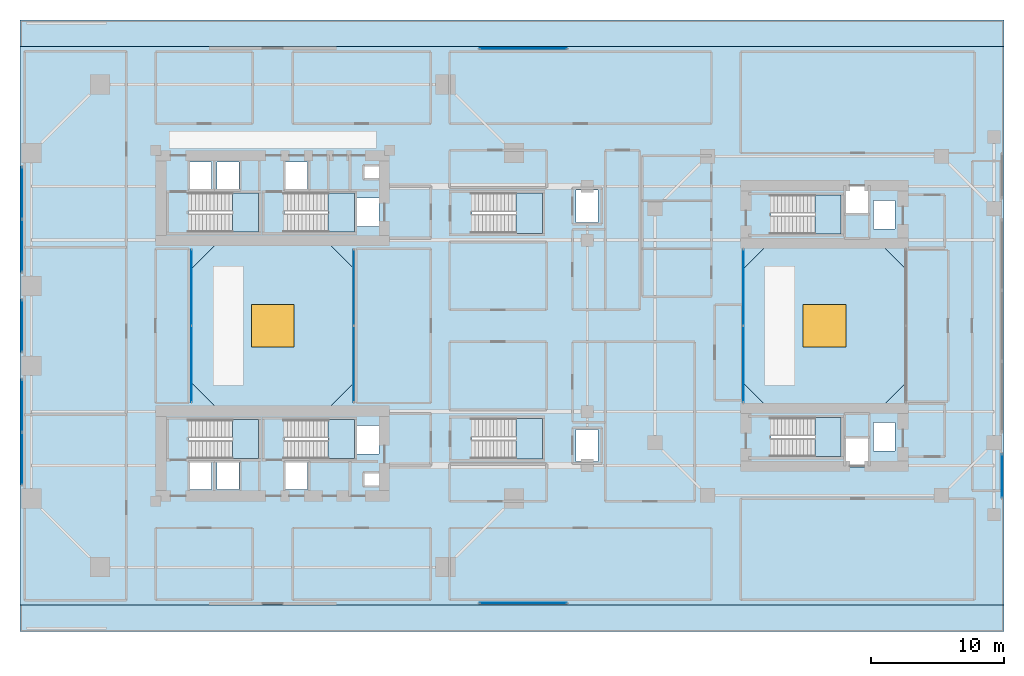
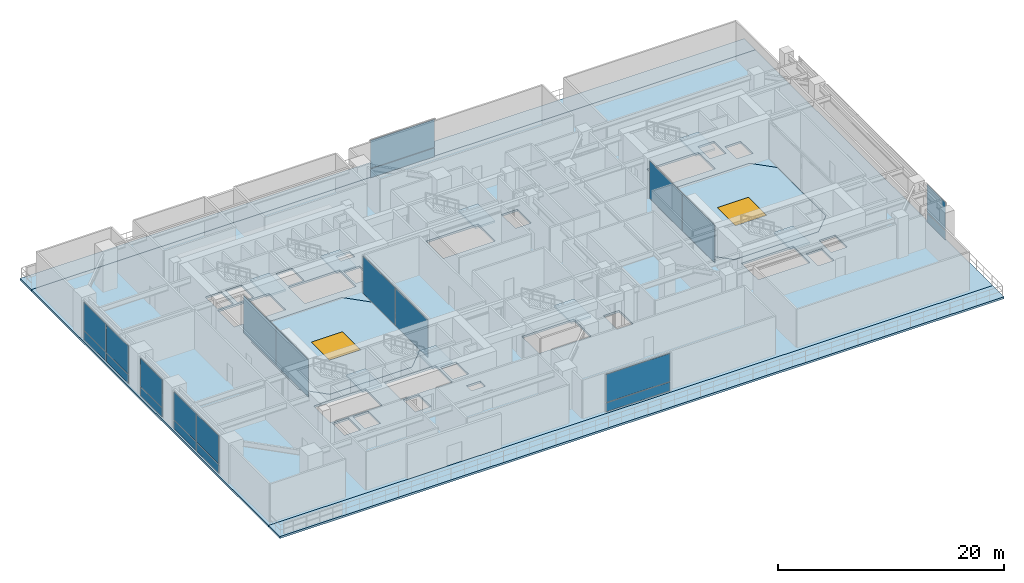
# One storey, part 9 of 19: 22 plates, 13 slabs, 2 windows, 2 openings, 17 elements without a shape of their own.
"""IFC4 building model written with IfcOpenShell, lengths in metres."""

from ifc_helpers import new_model, si_unit, direction, frame, origin, origin_2d, place, context, subcontext, project, spatial, polyline, rectangle, outline, extrude, source, transform, mapped, material, layer, layer_set, type_object, element, fill, aggregate, save


model = new_model("IFC4")

# Units and contexts
model_context = context("Model", 3, precision=1e-05, world=origin(), true_north=direction((0.0, 1.0)))
body_context = subcontext(model_context, "Body", "Model", "MODEL_VIEW")
ifc_project = project(units=[si_unit("LENGTHUNIT", "METRE"), si_unit("AREAUNIT", "SQUARE_METRE"), si_unit("VOLUMEUNIT", "CUBIC_METRE"), si_unit("PLANEANGLEUNIT", "RADIAN"), si_unit("MASSUNIT", "GRAM", prefix="KILO"), si_unit("THERMODYNAMICTEMPERATUREUNIT", "KELVIN"), si_unit("POWERUNIT", "WATT")], contexts=[model_context])

# Site, building, storey
site_placement = place(None, origin())
site = spatial("IfcSite", under=ifc_project, at=site_placement, CompositionType="ELEMENT")
building_placement = place(site_placement, origin())
building = spatial("IfcBuilding", under=site, at=building_placement, Name="Qiaomeng Ring Towers", CompositionType="ELEMENT")
storey_placement = place(building_placement, frame((0.0, 0.0, 5.0)))
storey = spatial("IfcBuildingStorey", under=building, at=storey_placement, Name="L01", CompositionType="ELEMENT", Elevation=5.0)

# Slab
ifc_material_1 = material(Name="Concrete C40", Category="concrete")
ifc_layer_1 = layer(ifc_material_1, 0.219970703125, Name="Concrete C40")
ifc_layer_set_1 = layer_set([ifc_layer_1], Name="Concrete C40")
slab_type_1 = type_object("IfcSlabType", Name="STR-SL-220", PredefinedType="FLOOR", material=ifc_layer_set_1)
slab_1_placement = place(storey_placement, frame((0.0, 0.0, -0.219970703125)))
element("IfcSlab", 1, at=slab_1_placement, inside=storey, type_object=slab_type_1, Name="L01 Structural Floor Slab", PredefinedType="FLOOR", context=body_context, shape_type="SweptSolid", body=[
    extrude(outline(polyline([(0.0, 2.0), (74.0, 2.0), (74.0, 44.0), (0.0, 44.0), (0.0, 2.0)]), holes=[polyline([(12.780029296875, 12.820068359375), (14.419921875, 12.820068359375), (14.419921875, 10.679931640625), (12.780029296875, 10.679931640625), (12.780029296875, 12.820068359375)]), polyline([(16.469970703125, 12.820068359375), (16.469970703125, 10.679931640625), (14.830078125, 10.679931640625), (14.830078125, 12.820068359375), (16.469970703125, 12.820068359375)]), polyline([(21.6201171875, 12.820068359375), (21.6201171875, 10.679931640625), (19.97998046875, 10.679931640625), (19.97998046875, 12.820068359375), (21.6201171875, 12.820068359375)]), polyline([(27.0, 15.52001953125), (27.0, 13.3798828125), (25.360107421875, 13.3798828125), (25.360107421875, 15.52001953125), (27.0, 15.52001953125)]), polyline([(17.949951171875, 15.949951171875), (17.949951171875, 13.010009765625), (12.679931640625, 13.010009765625), (12.679931640625, 15.949951171875), (17.949951171875, 15.949951171875)]), polyline([(25.14990234375, 15.949951171875), (25.14990234375, 13.010009765625), (19.8798828125, 13.010009765625), (19.8798828125, 15.949951171875), (25.14990234375, 15.949951171875)]), polyline([(25.199951171875, 18.800048828125), (23.199951171875, 16.800048828125), (14.800048828125, 16.800048828125), (12.800048828125, 18.800048828125), (12.800048828125, 27.199951171875), (14.800048828125, 29.199951171875), (23.199951171875, 29.199951171875), (25.199951171875, 27.199951171875), (25.199951171875, 18.800048828125)]), polyline([(12.679931640625, 32.989990234375), (17.949951171875, 32.989990234375), (17.949951171875, 30.050048828125), (12.679931640625, 30.050048828125), (12.679931640625, 32.989990234375)]), polyline([(25.14990234375, 32.989990234375), (25.14990234375, 30.050048828125), (19.8798828125, 30.050048828125), (19.8798828125, 32.989990234375), (25.14990234375, 32.989990234375)]), polyline([(27.0, 32.6201171875), (27.0, 30.47998046875), (25.360107421875, 30.47998046875), (25.360107421875, 32.6201171875), (27.0, 32.6201171875)]), polyline([(14.419921875, 35.320068359375), (14.419921875, 33.179931640625), (12.780029296875, 33.179931640625), (12.780029296875, 35.320068359375), (14.419921875, 35.320068359375)]), polyline([(16.469970703125, 35.320068359375), (16.469970703125, 33.179931640625), (14.830078125, 33.179931640625), (14.830078125, 35.320068359375), (16.469970703125, 35.320068359375)]), polyline([(21.6201171875, 35.320068359375), (21.6201171875, 33.179931640625), (19.97998046875, 33.179931640625), (19.97998046875, 35.320068359375), (21.6201171875, 35.320068359375)]), polyline([(27.360107421875, 35.0), (27.360107421875, 34.10009765625), (25.919921875, 34.10009765625), (25.919921875, 35.0), (27.360107421875, 35.0)]), polyline([(25.919921875, 11.89990234375), (27.360107421875, 11.89990234375), (27.360107421875, 11.0), (25.919921875, 11.0), (25.919921875, 11.89990234375)]), polyline([(63.77001953125, 14.52001953125), (63.77001953125, 12.3798828125), (62.1298828125, 12.3798828125), (62.1298828125, 14.52001953125), (63.77001953125, 14.52001953125)]), polyline([(43.469970703125, 15.219970703125), (43.469970703125, 12.780029296875), (41.830078125, 12.780029296875), (41.830078125, 15.219970703125), (43.469970703125, 15.219970703125)]), polyline([(39.300048828125, 16.0400390625), (39.300048828125, 13.0), (33.989990234375, 13.0), (33.989990234375, 16.0400390625), (39.300048828125, 16.0400390625)]), polyline([(61.75, 16.10009765625), (61.75, 13.159912109375), (56.47998046875, 13.159912109375), (56.47998046875, 16.10009765625), (61.75, 16.10009765625)]), polyline([(65.820068359375, 15.719970703125), (65.820068359375, 13.580078125), (64.179931640625, 13.580078125), (64.179931640625, 15.719970703125), (65.820068359375, 15.719970703125)]), polyline([(66.60009765625, 27.300048828125), (66.60009765625, 18.699951171875), (64.800048828125, 16.89990234375), (56.199951171875, 16.89990234375), (54.39990234375, 18.699951171875), (54.39990234375, 27.300048828125), (56.199951171875, 29.10009765625), (64.800048828125, 29.10009765625), (66.60009765625, 27.300048828125)]), polyline([(65.820068359375, 32.419921875), (65.820068359375, 30.280029296875), (64.179931640625, 30.280029296875), (64.179931640625, 32.419921875), (65.820068359375, 32.419921875)]), polyline([(61.75, 32.840087890625), (61.75, 29.89990234375), (56.47998046875, 29.89990234375), (56.47998046875, 32.840087890625), (61.75, 32.840087890625)]), polyline([(39.300048828125, 33.0), (39.300048828125, 29.9599609375), (33.989990234375, 29.9599609375), (33.989990234375, 33.0), (39.300048828125, 33.0)]), polyline([(43.469970703125, 33.219970703125), (43.469970703125, 30.780029296875), (41.830078125, 30.780029296875), (41.830078125, 33.219970703125), (43.469970703125, 33.219970703125)]), polyline([(63.77001953125, 33.6201171875), (63.77001953125, 31.47998046875), (62.1298828125, 31.47998046875), (62.1298828125, 33.6201171875), (63.77001953125, 33.6201171875)])]), origin(), (0.0, 0.0, 1.0), 0.219970703125),
])

# Stair, slab
ifc_material_2 = material(Name="Precast concrete C40", Category="concrete")
stair_type_1 = type_object("IfcStairType", Name="ARC-ST-440", PredefinedType="HALF_TURN_STAIR", material=ifc_material_2)
stair_1_placement = place(storey_placement, origin())
stair_1 = element("IfcStair", 2, at=stair_1_placement, inside=storey, type_object=stair_type_1, Name="L01 Tower 1 North Stair 1", PredefinedType="HALF_TURN_STAIR")
ifc_layer_2 = layer(ifc_material_1, 0.199951171875, Name="Concrete C40")
ifc_layer_set_2 = layer_set([ifc_layer_2], Name="Concrete C40")
slab_type_2 = type_object("IfcSlabType", Name="STR-SL-LANDING", PredefinedType="LANDING", material=ifc_layer_set_2)
slab_2_placement = place(storey_placement, frame((0.0, 0.0, 2.0)))
slab_2 = element("IfcSlab", 3, at=slab_2_placement, type_object=slab_type_2, Name="ST1 landing 1", PredefinedType="LANDING", context=body_context, shape_type="SweptSolid", body=[
    extrude(outline(polyline([(15.97998046875, 30.050048828125), (17.949951171875, 30.050048828125), (17.949951171875, 32.989990234375), (15.97998046875, 32.989990234375), (15.97998046875, 30.050048828125)])), origin(), (0.0, 0.0, 1.0), 0.199951171875),
])
aggregate(stair_1, [slab_2])

stair_2_placement = place(storey_placement, origin())
stair_2 = element("IfcStair", 4, at=stair_2_placement, inside=storey, type_object=stair_type_1, Name="L01 Tower 1 North Stair 2", PredefinedType="HALF_TURN_STAIR")
slab_3_placement = place(storey_placement, frame((0.0, 0.0, 2.0)))
slab_3 = element("IfcSlab", 5, at=slab_3_placement, type_object=slab_type_2, Name="ST2 landing 1", PredefinedType="LANDING", context=body_context, shape_type="SweptSolid", body=[
    extrude(outline(polyline([(23.179931640625, 30.050048828125), (25.14990234375, 30.050048828125), (25.14990234375, 32.989990234375), (23.179931640625, 32.989990234375), (23.179931640625, 30.050048828125)])), origin(), (0.0, 0.0, 1.0), 0.199951171875),
])
aggregate(stair_2, [slab_3])

stair_3_placement = place(storey_placement, origin())
stair_3 = element("IfcStair", 6, at=stair_3_placement, inside=storey, type_object=stair_type_1, Name="L01 Tower 1 South Stair 3", PredefinedType="HALF_TURN_STAIR")
slab_4_placement = place(storey_placement, frame((0.0, 0.0, 2.0)))
slab_4 = element("IfcSlab", 7, at=slab_4_placement, type_object=slab_type_2, Name="ST3 landing 1", PredefinedType="LANDING", context=body_context, shape_type="SweptSolid", body=[
    extrude(outline(polyline([(15.97998046875, 13.010009765625), (17.949951171875, 13.010009765625), (17.949951171875, 15.949951171875), (15.97998046875, 15.949951171875), (15.97998046875, 13.010009765625)])), origin(), (0.0, 0.0, 1.0), 0.199951171875),
])
aggregate(stair_3, [slab_4])

stair_4_placement = place(storey_placement, origin())
stair_4 = element("IfcStair", 8, at=stair_4_placement, inside=storey, type_object=stair_type_1, Name="L01 Tower 1 South Stair 4", PredefinedType="HALF_TURN_STAIR")
slab_5_placement = place(storey_placement, frame((0.0, 0.0, 2.0)))
slab_5 = element("IfcSlab", 9, at=slab_5_placement, type_object=slab_type_2, Name="ST4 landing 1", PredefinedType="LANDING", context=body_context, shape_type="SweptSolid", body=[
    extrude(outline(polyline([(23.179931640625, 13.010009765625), (25.14990234375, 13.010009765625), (25.14990234375, 15.949951171875), (23.179931640625, 15.949951171875), (23.179931640625, 13.010009765625)])), origin(), (0.0, 0.0, 1.0), 0.199951171875),
])
aggregate(stair_4, [slab_5])

stair_5_placement = place(storey_placement, origin())
stair_5 = element("IfcStair", 10, at=stair_5_placement, inside=storey, type_object=stair_type_1, Name="L01 Companion North Stair 5", PredefinedType="HALF_TURN_STAIR")
slab_6_placement = place(storey_placement, frame((0.0, 0.0, 2.0)))
slab_6 = element("IfcSlab", 11, at=slab_6_placement, type_object=slab_type_2, Name="ST5 landing 1", PredefinedType="LANDING", context=body_context, shape_type="SweptSolid", body=[
    extrude(outline(polyline([(59.780029296875, 29.89990234375), (61.75, 29.89990234375), (61.75, 32.840087890625), (59.780029296875, 32.840087890625), (59.780029296875, 29.89990234375)])), origin(), (0.0, 0.0, 1.0), 0.199951171875),
])
aggregate(stair_5, [slab_6])

stair_6_placement = place(storey_placement, origin())
stair_6 = element("IfcStair", 12, at=stair_6_placement, inside=storey, type_object=stair_type_1, Name="L01 Companion South Stair 6", PredefinedType="HALF_TURN_STAIR")
slab_7_placement = place(storey_placement, frame((0.0, 0.0, 2.0)))
slab_7 = element("IfcSlab", 13, at=slab_7_placement, type_object=slab_type_2, Name="ST6 landing 1", PredefinedType="LANDING", context=body_context, shape_type="SweptSolid", body=[
    extrude(outline(polyline([(59.780029296875, 13.159912109375), (61.75, 13.159912109375), (61.75, 16.10009765625), (59.780029296875, 16.10009765625), (59.780029296875, 13.159912109375)])), origin(), (0.0, 0.0, 1.0), 0.199951171875),
])
aggregate(stair_6, [slab_7])

stair_type_2 = type_object("IfcStairType", Name="ARC-ST-POD", PredefinedType="HALF_TURN_STAIR", material=ifc_material_2)
stair_7_placement = place(storey_placement, origin())
stair_7 = element("IfcStair", 14, at=stair_7_placement, inside=storey, type_object=stair_type_2, Name="L01 Podium Clinic North Stair 7", PredefinedType="HALF_TURN_STAIR")
slab_8_placement = place(storey_placement, frame((0.0, 0.0, 2.0)))
slab_8 = element("IfcSlab", 15, at=slab_8_placement, type_object=slab_type_2, Name="ST7 landing 1", PredefinedType="LANDING", context=body_context, shape_type="SweptSolid", body=[
    extrude(outline(polyline([(37.2900390625, 29.9599609375), (39.300048828125, 29.9599609375), (39.300048828125, 33.0), (37.2900390625, 33.0), (37.2900390625, 29.9599609375)])), origin(), (0.0, 0.0, 1.0), 0.199951171875),
])
aggregate(stair_7, [slab_8])

stair_8_placement = place(storey_placement, origin())
stair_8 = element("IfcStair", 16, at=stair_8_placement, inside=storey, type_object=stair_type_2, Name="L01 Podium Clinic South Stair 8", PredefinedType="HALF_TURN_STAIR")
slab_9_placement = place(storey_placement, frame((0.0, 0.0, 2.0)))
slab_9 = element("IfcSlab", 17, at=slab_9_placement, type_object=slab_type_2, Name="ST8 landing 1", PredefinedType="LANDING", context=body_context, shape_type="SweptSolid", body=[
    extrude(outline(polyline([(37.2900390625, 13.0), (39.300048828125, 13.0), (39.300048828125, 16.0400390625), (37.2900390625, 16.0400390625), (37.2900390625, 13.0)])), origin(), (0.0, 0.0, 1.0), 0.199951171875),
])
aggregate(stair_8, [slab_9])

# Slab, opening, window
ifc_layer_3 = layer(ifc_material_1, 0.219970703125, Name="Concrete C40")
ifc_layer_set_3 = layer_set([ifc_layer_3], Name="Concrete C40")
slab_type_3 = type_object("IfcSlabType", Name="STR-SL-SKYLIGHT-ROOF", PredefinedType="ROOF", material=ifc_layer_set_3)
slab_10_placement = place(storey_placement, frame((0.0, 0.0, -0.219970703125)))
slab_10 = element("IfcSlab", 18, at=slab_10_placement, inside=storey, type_object=slab_type_3, Name="L01 Tower 1 Atrium Skylight Roof Slab", PredefinedType="ROOF", context=body_context, shape_type="SweptSolid", body=[
    extrude(outline(polyline([(14.800048828125, 16.800048828125), (23.199951171875, 16.800048828125), (25.199951171875, 18.800048828125), (25.199951171875, 27.199951171875), (23.199951171875, 29.199951171875), (14.800048828125, 29.199951171875), (12.800048828125, 27.199951171875), (12.800048828125, 18.800048828125), (14.800048828125, 16.800048828125)])), origin(), (0.0, 0.0, 1.0), 0.219970703125),
])
opening_1_placement = place(slab_10_placement, frame((19.0, 23.0, 0.0)))
opening_1 = element("IfcOpeningElement", 19, at=opening_1_placement, cuts=slab_10, Name="Opening SKY1", PredefinedType="OPENING", context=body_context, shape_type="SweptSolid", body=[
    extrude(rectangle(XDim=3.199951171875, YDim=3.199951171875, at=origin_2d()), frame((0.0, 0.0, -0.010009765625)), (0.0, 0.0, 1.0), 0.239990234375),
])
ifc_material_3 = material(Name="Low-E dark-grey laminated double glazing", Category="glass")
window_type = type_object("IfcWindowType", Name="ARC-SKY-1", PartitioningType="SINGLE_PANEL", PredefinedType="SKYLIGHT", material=ifc_material_3)
window_1_placement = place(opening_1_placement, frame((0.0, 0.0, 0.169921875)))
window_1 = element("IfcWindow", 20, at=window_1_placement, inside=storey, type_object=window_type, Name="Tower 1 Atrium Octagonal Skylight", OverallHeight=3.199951171875, OverallWidth=3.199951171875, PartitioningType="SINGLE_PANEL", PredefinedType="SKYLIGHT", context=body_context, shape_type="SweptSolid", body=[
    extrude(rectangle(XDim=3.199951171875, YDim=3.199951171875, at=origin_2d()), origin(), (0.0, 0.0, 1.0), 0.050048828125),
])
fill(opening_1, window_1)

slab_11_placement = place(storey_placement, frame((0.0, 0.0, -0.219970703125)))
slab_11 = element("IfcSlab", 21, at=slab_11_placement, inside=storey, type_object=slab_type_3, Name="L01 Companion Atrium Skylight Roof Slab", PredefinedType="ROOF", context=body_context, shape_type="SweptSolid", body=[
    extrude(outline(polyline([(56.199951171875, 16.89990234375), (64.800048828125, 16.89990234375), (66.60009765625, 18.699951171875), (66.60009765625, 27.300048828125), (64.800048828125, 29.10009765625), (56.199951171875, 29.10009765625), (54.39990234375, 27.300048828125), (54.39990234375, 18.699951171875), (56.199951171875, 16.89990234375)])), origin(), (0.0, 0.0, 1.0), 0.219970703125),
])
opening_2_placement = place(slab_11_placement, frame((60.5, 23.0, 0.0)))
opening_2 = element("IfcOpeningElement", 22, at=opening_2_placement, cuts=slab_11, Name="Opening SKY1", PredefinedType="OPENING", context=body_context, shape_type="SweptSolid", body=[
    extrude(rectangle(XDim=3.199951171875, YDim=3.199951171875, at=origin_2d()), frame((0.0, 0.0, -0.010009765625)), (0.0, 0.0, 1.0), 0.239990234375),
])
window_2_placement = place(opening_2_placement, frame((0.0, 0.0, 0.169921875)))
window_2 = element("IfcWindow", 23, at=window_2_placement, inside=storey, type_object=window_type, Name="Companion Atrium Octagonal Skylight", OverallHeight=3.199951171875, OverallWidth=3.199951171875, PartitioningType="SINGLE_PANEL", PredefinedType="SKYLIGHT", context=body_context, shape_type="SweptSolid", body=[
    extrude(rectangle(XDim=3.199951171875, YDim=3.199951171875, at=origin_2d()), origin(), (0.0, 0.0, 1.0), 0.050048828125),
])
fill(opening_2, window_2)

# Slabs
ifc_layer_4 = layer(ifc_material_1, 0.219970703125, Name="Concrete C40")
ifc_layer_set_4 = layer_set([ifc_layer_4], Name="Concrete C40")
slab_type_4 = type_object("IfcSlabType", Name="STR-SL-TERR220", PredefinedType="FLOOR", material=ifc_layer_set_4)
slab_12_placement = place(storey_placement, frame((0.0, 0.0, -0.219970703125)))
element("IfcSlab", 24, at=slab_12_placement, inside=storey, type_object=slab_type_4, Name="L01 South Planted Podium Roof Terrace Slab", PredefinedType="FLOOR", context=body_context, shape_type="SweptSolid", body=[
    extrude(outline(polyline([(0.0, 0.0), (74.0, 0.0), (74.0, 2.0), (0.0, 2.0), (0.0, 0.0)])), origin(), (0.0, 0.0, 1.0), 0.219970703125),
])
slab_13_placement = place(storey_placement, frame((0.0, 0.0, -0.219970703125)))
element("IfcSlab", 25, at=slab_13_placement, inside=storey, type_object=slab_type_4, Name="L01 North Planted Podium Roof Terrace Slab", PredefinedType="FLOOR", context=body_context, shape_type="SweptSolid", body=[
    extrude(outline(polyline([(0.0, 44.0), (74.0, 44.0), (74.0, 46.0), (0.0, 46.0), (0.0, 44.0)])), origin(), (0.0, 0.0, 1.0), 0.219970703125),
])

# Curtain wall, plates
ifc_material_4 = material(Name="Fluorocarbon dark-grey aluminium", Category="aluminium")
ifc_layer_5 = layer(ifc_material_4, 0.179931640625, Name="Fluorocarbon dark-grey aluminium")
ifc_layer_set_5 = layer_set([ifc_layer_5], Name="Fluorocarbon dark-grey aluminium")
curtain_wall_type_1 = type_object("IfcCurtainWallType", Name="ARC-CW-1", PredefinedType="NOTDEFINED", material=ifc_layer_set_5)
curtain_wall_1_placement = place(storey_placement, origin())
curtain_wall_1 = element("IfcCurtainWall", 26, at=curtain_wall_1_placement, inside=storey, type_object=curtain_wall_type_1, Name="L01 Curtain Wall CW1", PredefinedType="NOTDEFINED")
ifc_material_5 = material(Name="Low-E pale-green laminated safety glass", Category="glass")
ifc_layer_6 = layer(ifc_material_5, 0.031982421875, Name="Low-E pale-green laminated safety glass")
ifc_layer_set_6 = layer_set([ifc_layer_6], Name="Low-E pale-green laminated safety glass")
plate_type_1 = type_object("IfcPlateType", Name="ARC-CWP-GREEN", PredefinedType="CURTAIN_PANEL", material=ifc_layer_set_6)
shared_shape_1 = source(origin(), body_context, "Body", "SweptSolid", [
    extrude(rectangle(XDim=3.889892578125, YDim=0.031982421875, at=origin_2d()), origin(), (0.0, 0.0, 1.0), 0.945068359375),
])
plate_1_placement = place(storey_placement, frame((0.14990234375, 13.014892578125, 0.06982421875), z_axis=(0.0, 0.0, 1.0), x_axis=(0.0, 1.0, 0.0)))
plate_1 = element("IfcPlate", 27, at=plate_1_placement, type_object=plate_type_1, Name="CW1 panel 1.1", PredefinedType="CURTAIN_PANEL", context=body_context, shape_type="MappedRepresentation", body=[
    mapped(shared_shape_1, transform((0.0, 0.0, 0.0), x_axis=(1.0, 0.0, 0.0), y_axis=(0.0, 1.0, 0.0), z_axis=(0.0, 0.0, 1.0), scale=1.0)),
])
plate_2_placement = place(storey_placement, frame((0.14990234375, 16.985107421875, 0.06982421875), z_axis=(0.0, 0.0, 1.0), x_axis=(0.0, 1.0, 0.0)))
plate_2 = element("IfcPlate", 28, at=plate_2_placement, type_object=plate_type_1, Name="CW1 panel 2.1", PredefinedType="CURTAIN_PANEL", context=body_context, shape_type="MappedRepresentation", body=[
    mapped(shared_shape_1, transform((0.0, 0.0, 0.0), x_axis=(1.0, 0.0, 0.0), y_axis=(0.0, 1.0, 0.0), z_axis=(0.0, 0.0, 1.0), scale=1.0)),
])

curtain_wall_2_placement = place(storey_placement, origin())
curtain_wall_2 = element("IfcCurtainWall", 29, at=curtain_wall_2_placement, inside=storey, type_object=curtain_wall_type_1, Name="L01 Curtain Wall CW1", PredefinedType="NOTDEFINED")
plate_3_placement = place(storey_placement, frame((0.14990234375, 29.014892578125, 0.06982421875), z_axis=(0.0, 0.0, 1.0), x_axis=(0.0, 1.0, 0.0)))
plate_3 = element("IfcPlate", 30, at=plate_3_placement, type_object=plate_type_1, Name="CW1 panel 1.1", PredefinedType="CURTAIN_PANEL", context=body_context, shape_type="MappedRepresentation", body=[
    mapped(shared_shape_1, transform((0.0, 0.0, 0.0), x_axis=(1.0, 0.0, 0.0), y_axis=(0.0, 1.0, 0.0), z_axis=(0.0, 0.0, 1.0), scale=1.0)),
])
plate_4_placement = place(storey_placement, frame((0.14990234375, 32.985107421875, 0.06982421875), z_axis=(0.0, 0.0, 1.0), x_axis=(0.0, 1.0, 0.0)))
plate_4 = element("IfcPlate", 31, at=plate_4_placement, type_object=plate_type_1, Name="CW1 panel 2.1", PredefinedType="CURTAIN_PANEL", context=body_context, shape_type="MappedRepresentation", body=[
    mapped(shared_shape_1, transform((0.0, 0.0, 0.0), x_axis=(1.0, 0.0, 0.0), y_axis=(0.0, 1.0, 0.0), z_axis=(0.0, 0.0, 1.0), scale=1.0)),
])

# Curtain wall, plate
curtain_wall_3_placement = place(storey_placement, origin())
curtain_wall_3 = element("IfcCurtainWall", 32, at=curtain_wall_3_placement, inside=storey, type_object=curtain_wall_type_1, Name="L01 Curtain Wall CW1", PredefinedType="NOTDEFINED")
shared_shape_2 = source(origin(), body_context, "Body", "SweptSolid", [
    extrude(rectangle(XDim=3.860107421875, YDim=0.031982421875, at=origin_2d()), origin(), (0.0, 0.0, 1.0), 0.945068359375),
])
plate_5_placement = place(storey_placement, frame((0.14990234375, 23.0, 0.06982421875), z_axis=(0.0, 0.0, 1.0), x_axis=(0.0, 1.0, 0.0)))
plate_5 = element("IfcPlate", 33, at=plate_5_placement, type_object=plate_type_1, Name="CW1 panel 1.1", PredefinedType="CURTAIN_PANEL", context=body_context, shape_type="MappedRepresentation", body=[
    mapped(shared_shape_2, transform((0.0, 0.0, 0.0), x_axis=(1.0, 0.0, 0.0), y_axis=(0.0, 1.0, 0.0), z_axis=(0.0, 0.0, 1.0), scale=1.0)),
])

# Plate
shared_shape_3 = source(origin(), body_context, "Body", "SweptSolid", [
    extrude(rectangle(XDim=3.889892578125, YDim=0.031982421875, at=origin_2d()), origin(), (0.0, 0.0, 1.0), 3.02490234375),
])
plate_6_placement = place(storey_placement, frame((0.14990234375, 13.014892578125, 1.0849609375), z_axis=(0.0, 0.0, 1.0), x_axis=(0.0, 1.0, 0.0)))
plate_6 = element("IfcPlate", 34, at=plate_6_placement, type_object=plate_type_1, Name="CW1 panel 1.2", PredefinedType="CURTAIN_PANEL", context=body_context, shape_type="MappedRepresentation", body=[
    mapped(shared_shape_3, transform((0.0, 0.0, 0.0), x_axis=(1.0, 0.0, 0.0), y_axis=(0.0, 1.0, 0.0), z_axis=(0.0, 0.0, 1.0), scale=1.0)),
])

plate_7_placement = place(storey_placement, frame((0.14990234375, 16.985107421875, 1.0849609375), z_axis=(0.0, 0.0, 1.0), x_axis=(0.0, 1.0, 0.0)))
plate_7 = element("IfcPlate", 35, at=plate_7_placement, type_object=plate_type_1, Name="CW1 panel 2.2", PredefinedType="CURTAIN_PANEL", context=body_context, shape_type="MappedRepresentation", body=[
    mapped(shared_shape_3, transform((0.0, 0.0, 0.0), x_axis=(1.0, 0.0, 0.0), y_axis=(0.0, 1.0, 0.0), z_axis=(0.0, 0.0, 1.0), scale=1.0)),
])

aggregate(curtain_wall_1, [plate_1, plate_6, plate_2, plate_7])

plate_8_placement = place(storey_placement, frame((0.14990234375, 29.014892578125, 1.0849609375), z_axis=(0.0, 0.0, 1.0), x_axis=(0.0, 1.0, 0.0)))
plate_8 = element("IfcPlate", 36, at=plate_8_placement, type_object=plate_type_1, Name="CW1 panel 1.2", PredefinedType="CURTAIN_PANEL", context=body_context, shape_type="MappedRepresentation", body=[
    mapped(shared_shape_3, transform((0.0, 0.0, 0.0), x_axis=(1.0, 0.0, 0.0), y_axis=(0.0, 1.0, 0.0), z_axis=(0.0, 0.0, 1.0), scale=1.0)),
])

plate_9_placement = place(storey_placement, frame((0.14990234375, 32.985107421875, 1.0849609375), z_axis=(0.0, 0.0, 1.0), x_axis=(0.0, 1.0, 0.0)))
plate_9 = element("IfcPlate", 37, at=plate_9_placement, type_object=plate_type_1, Name="CW1 panel 2.2", PredefinedType="CURTAIN_PANEL", context=body_context, shape_type="MappedRepresentation", body=[
    mapped(shared_shape_3, transform((0.0, 0.0, 0.0), x_axis=(1.0, 0.0, 0.0), y_axis=(0.0, 1.0, 0.0), z_axis=(0.0, 0.0, 1.0), scale=1.0)),
])

aggregate(curtain_wall_2, [plate_3, plate_8, plate_4, plate_9])

shared_shape_4 = source(origin(), body_context, "Body", "SweptSolid", [
    extrude(rectangle(XDim=3.860107421875, YDim=0.031982421875, at=origin_2d()), origin(), (0.0, 0.0, 1.0), 3.02490234375),
])
plate_10_placement = place(storey_placement, frame((0.14990234375, 23.0, 1.0849609375), z_axis=(0.0, 0.0, 1.0), x_axis=(0.0, 1.0, 0.0)))
plate_10 = element("IfcPlate", 38, at=plate_10_placement, type_object=plate_type_1, Name="CW1 panel 1.2", PredefinedType="CURTAIN_PANEL", context=body_context, shape_type="MappedRepresentation", body=[
    mapped(shared_shape_4, transform((0.0, 0.0, 0.0), x_axis=(1.0, 0.0, 0.0), y_axis=(0.0, 1.0, 0.0), z_axis=(0.0, 0.0, 1.0), scale=1.0)),
])

aggregate(curtain_wall_3, [plate_5, plate_10])

# Curtain wall, plates
curtain_wall_4_placement = place(storey_placement, origin())
curtain_wall_4 = element("IfcCurtainWall", 39, at=curtain_wall_4_placement, inside=storey, type_object=curtain_wall_type_1, Name="L01 Curtain Wall CW1", PredefinedType="NOTDEFINED")
shared_shape_5 = source(origin(), body_context, "Body", "SweptSolid", [
    extrude(rectangle(XDim=3.25, YDim=0.031982421875, at=origin_2d()), origin(), (0.0, 0.0, 1.0), 0.945068359375),
])
plate_11_placement = place(storey_placement, frame((73.85009765625, 11.705078125, 0.06982421875), z_axis=(0.0, 0.0, 1.0), x_axis=(0.0, 1.0, 0.0)))
plate_11 = element("IfcPlate", 40, at=plate_11_placement, type_object=plate_type_1, Name="CW1 panel 1.1", PredefinedType="CURTAIN_PANEL", context=body_context, shape_type="MappedRepresentation", body=[
    mapped(shared_shape_5, transform((0.0, 0.0, 0.0), x_axis=(1.0, 0.0, 0.0), y_axis=(0.0, 1.0, 0.0), z_axis=(0.0, 0.0, 1.0), scale=1.0)),
])
shared_shape_6 = source(origin(), body_context, "Body", "SweptSolid", [
    extrude(rectangle(XDim=3.25, YDim=0.031982421875, at=origin_2d()), origin(), (0.0, 0.0, 1.0), 3.02490234375),
])
plate_12_placement = place(storey_placement, frame((73.85009765625, 11.705078125, 1.0849609375), z_axis=(0.0, 0.0, 1.0), x_axis=(0.0, 1.0, 0.0)))
plate_12 = element("IfcPlate", 41, at=plate_12_placement, type_object=plate_type_1, Name="CW1 panel 1.2", PredefinedType="CURTAIN_PANEL", context=body_context, shape_type="MappedRepresentation", body=[
    mapped(shared_shape_6, transform((0.0, 0.0, 0.0), x_axis=(1.0, 0.0, 0.0), y_axis=(0.0, 1.0, 0.0), z_axis=(0.0, 0.0, 1.0), scale=1.0)),
])
aggregate(curtain_wall_4, [plate_11, plate_12])

# Curtain wall, plate
curtain_wall_5_placement = place(storey_placement, origin())
curtain_wall_5 = element("IfcCurtainWall", 42, at=curtain_wall_5_placement, inside=storey, type_object=curtain_wall_type_1, Name="L01 Curtain Wall CW1", PredefinedType="NOTDEFINED")
shared_shape_7 = source(origin(), body_context, "Body", "SweptSolid", [
    extrude(rectangle(XDim=6.5400390625, YDim=0.031982421875, at=origin_2d()), origin(), (0.0, 0.0, 1.0), 0.945068359375),
])
plate_13_placement = place(storey_placement, frame((37.85009765625, 2.14990234375, 0.06982421875), z_axis=(0.0, 0.0, 1.0), x_axis=(1.0, 0.0, 0.0)))
plate_13 = element("IfcPlate", 43, at=plate_13_placement, type_object=plate_type_1, Name="CW1 panel 1.1", PredefinedType="CURTAIN_PANEL", context=body_context, shape_type="MappedRepresentation", body=[
    mapped(shared_shape_7, transform((0.0, 0.0, 0.0), x_axis=(1.0, 0.0, 0.0), y_axis=(0.0, 1.0, 0.0), z_axis=(0.0, 0.0, 1.0), scale=1.0)),
])

curtain_wall_6_placement = place(storey_placement, origin())
curtain_wall_6 = element("IfcCurtainWall", 44, at=curtain_wall_6_placement, inside=storey, type_object=curtain_wall_type_1, Name="L01 Curtain Wall CW1", PredefinedType="NOTDEFINED")
plate_14_placement = place(storey_placement, frame((37.85009765625, 43.85009765625, 0.06982421875), z_axis=(0.0, 0.0, 1.0), x_axis=(1.0, 0.0, 0.0)))
plate_14 = element("IfcPlate", 45, at=plate_14_placement, type_object=plate_type_1, Name="CW1 panel 1.1", PredefinedType="CURTAIN_PANEL", context=body_context, shape_type="MappedRepresentation", body=[
    mapped(shared_shape_7, transform((0.0, 0.0, 0.0), x_axis=(1.0, 0.0, 0.0), y_axis=(0.0, 1.0, 0.0), z_axis=(0.0, 0.0, 1.0), scale=1.0)),
])

# Plate
shared_shape_8 = source(origin(), body_context, "Body", "SweptSolid", [
    extrude(rectangle(XDim=6.5400390625, YDim=0.031982421875, at=origin_2d()), origin(), (0.0, 0.0, 1.0), 3.02490234375),
])
plate_15_placement = place(storey_placement, frame((37.85009765625, 2.14990234375, 1.0849609375), z_axis=(0.0, 0.0, 1.0), x_axis=(1.0, 0.0, 0.0)))
plate_15 = element("IfcPlate", 46, at=plate_15_placement, type_object=plate_type_1, Name="CW1 panel 1.2", PredefinedType="CURTAIN_PANEL", context=body_context, shape_type="MappedRepresentation", body=[
    mapped(shared_shape_8, transform((0.0, 0.0, 0.0), x_axis=(1.0, 0.0, 0.0), y_axis=(0.0, 1.0, 0.0), z_axis=(0.0, 0.0, 1.0), scale=1.0)),
])

aggregate(curtain_wall_5, [plate_13, plate_15])

plate_16_placement = place(storey_placement, frame((37.85009765625, 43.85009765625, 1.0849609375), z_axis=(0.0, 0.0, 1.0), x_axis=(1.0, 0.0, 0.0)))
plate_16 = element("IfcPlate", 47, at=plate_16_placement, type_object=plate_type_1, Name="CW1 panel 1.2", PredefinedType="CURTAIN_PANEL", context=body_context, shape_type="MappedRepresentation", body=[
    mapped(shared_shape_8, transform((0.0, 0.0, 0.0), x_axis=(1.0, 0.0, 0.0), y_axis=(0.0, 1.0, 0.0), z_axis=(0.0, 0.0, 1.0), scale=1.0)),
])

aggregate(curtain_wall_6, [plate_14, plate_16])

# Curtain wall, plates
ifc_layer_7 = layer(ifc_material_4, 0.139892578125, Name="Fluorocarbon dark-grey aluminium")
ifc_layer_set_7 = layer_set([ifc_layer_7], Name="Fluorocarbon dark-grey aluminium")
curtain_wall_type_2 = type_object("IfcCurtainWallType", Name="ARC-CW-4", PredefinedType="NOTDEFINED", material=ifc_layer_set_7)
curtain_wall_7_placement = place(storey_placement, origin())
curtain_wall_7 = element("IfcCurtainWall", 48, at=curtain_wall_7_placement, inside=storey, type_object=curtain_wall_type_2, Name="L01 Curtain Wall CW4", PredefinedType="NOTDEFINED")
ifc_layer_8 = layer(ifc_material_3, 0.028076171875, Name="Low-E dark-grey laminated double glazing")
ifc_layer_set_8 = layer_set([ifc_layer_8], Name="Low-E dark-grey laminated double glazing")
plate_type_2 = type_object("IfcPlateType", Name="ARC-CWP-DARK", PredefinedType="CURTAIN_PANEL", material=ifc_layer_set_8)
shared_shape_9 = source(origin(), body_context, "Body", "SweptSolid", [
    extrude(rectangle(XDim=5.702392578125, YDim=0.028076171875, at=origin_2d()), origin(), (0.0, 0.0, 1.0), 4.050048828125),
])
plate_17_placement = place(storey_placement, frame((12.89990234375, 20.1162109375, 0.06494140625), z_axis=(0.0, 0.0, 1.0), x_axis=(0.0, 1.0, 0.0)))
plate_17 = element("IfcPlate", 49, at=plate_17_placement, type_object=plate_type_2, Name="CW4 panel 1.1", PredefinedType="CURTAIN_PANEL", context=body_context, shape_type="MappedRepresentation", body=[
    mapped(shared_shape_9, transform((0.0, 0.0, 0.0), x_axis=(1.0, 0.0, 0.0), y_axis=(0.0, 1.0, 0.0), z_axis=(0.0, 0.0, 1.0), scale=1.0)),
])
plate_18_placement = place(storey_placement, frame((12.89990234375, 25.8837890625, 0.06494140625), z_axis=(0.0, 0.0, 1.0), x_axis=(0.0, 1.0, 0.0)))
plate_18 = element("IfcPlate", 50, at=plate_18_placement, type_object=plate_type_2, Name="CW4 panel 2.1", PredefinedType="CURTAIN_PANEL", context=body_context, shape_type="MappedRepresentation", body=[
    mapped(shared_shape_9, transform((0.0, 0.0, 0.0), x_axis=(1.0, 0.0, 0.0), y_axis=(0.0, 1.0, 0.0), z_axis=(0.0, 0.0, 1.0), scale=1.0)),
])
aggregate(curtain_wall_7, [plate_17, plate_18])

curtain_wall_8_placement = place(storey_placement, origin())
curtain_wall_8 = element("IfcCurtainWall", 51, at=curtain_wall_8_placement, inside=storey, type_object=curtain_wall_type_2, Name="L01 Curtain Wall CW4", PredefinedType="NOTDEFINED")
plate_19_placement = place(storey_placement, frame((25.10009765625, 20.1162109375, 0.06494140625), z_axis=(0.0, 0.0, 1.0), x_axis=(0.0, 1.0, 0.0)))
plate_19 = element("IfcPlate", 52, at=plate_19_placement, type_object=plate_type_2, Name="CW4 panel 1.1", PredefinedType="CURTAIN_PANEL", context=body_context, shape_type="MappedRepresentation", body=[
    mapped(shared_shape_9, transform((0.0, 0.0, 0.0), x_axis=(1.0, 0.0, 0.0), y_axis=(0.0, 1.0, 0.0), z_axis=(0.0, 0.0, 1.0), scale=1.0)),
])
plate_20_placement = place(storey_placement, frame((25.10009765625, 25.8837890625, 0.06494140625), z_axis=(0.0, 0.0, 1.0), x_axis=(0.0, 1.0, 0.0)))
plate_20 = element("IfcPlate", 53, at=plate_20_placement, type_object=plate_type_2, Name="CW4 panel 2.1", PredefinedType="CURTAIN_PANEL", context=body_context, shape_type="MappedRepresentation", body=[
    mapped(shared_shape_9, transform((0.0, 0.0, 0.0), x_axis=(1.0, 0.0, 0.0), y_axis=(0.0, 1.0, 0.0), z_axis=(0.0, 0.0, 1.0), scale=1.0)),
])
aggregate(curtain_wall_8, [plate_19, plate_20])

curtain_wall_9_placement = place(storey_placement, origin())
curtain_wall_9 = element("IfcCurtainWall", 54, at=curtain_wall_9_placement, inside=storey, type_object=curtain_wall_type_2, Name="L01 Curtain Wall CW4", PredefinedType="NOTDEFINED")
plate_21_placement = place(storey_placement, frame((54.39990234375, 20.1162109375, 0.06494140625), z_axis=(0.0, 0.0, 1.0), x_axis=(0.0, 1.0, 0.0)))
plate_21 = element("IfcPlate", 55, at=plate_21_placement, type_object=plate_type_2, Name="CW4 panel 1.1", PredefinedType="CURTAIN_PANEL", context=body_context, shape_type="MappedRepresentation", body=[
    mapped(shared_shape_9, transform((0.0, 0.0, 0.0), x_axis=(1.0, 0.0, 0.0), y_axis=(0.0, 1.0, 0.0), z_axis=(0.0, 0.0, 1.0), scale=1.0)),
])
plate_22_placement = place(storey_placement, frame((54.39990234375, 25.8837890625, 0.06494140625), z_axis=(0.0, 0.0, 1.0), x_axis=(0.0, 1.0, 0.0)))
plate_22 = element("IfcPlate", 56, at=plate_22_placement, type_object=plate_type_2, Name="CW4 panel 2.1", PredefinedType="CURTAIN_PANEL", context=body_context, shape_type="MappedRepresentation", body=[
    mapped(shared_shape_9, transform((0.0, 0.0, 0.0), x_axis=(1.0, 0.0, 0.0), y_axis=(0.0, 1.0, 0.0), z_axis=(0.0, 0.0, 1.0), scale=1.0)),
])
aggregate(curtain_wall_9, [plate_21, plate_22])

save(model, "model.ifc")
